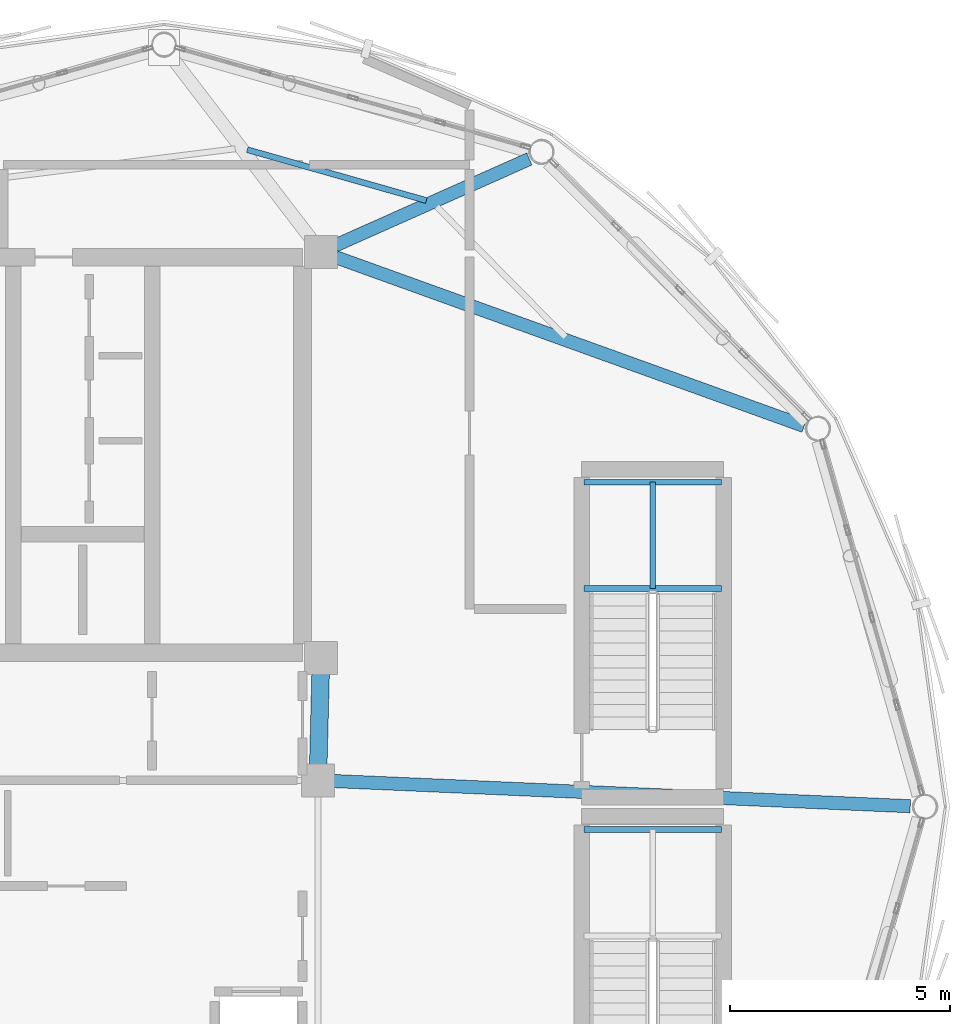
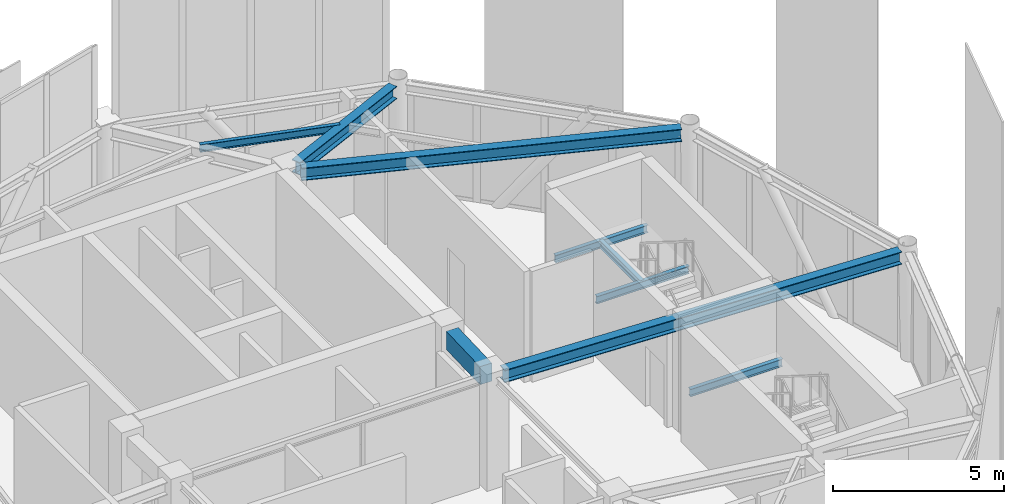
# One storey, part 10 of 20: 9 beams.
"""IFC4 building model written with IfcOpenShell, lengths in metres."""

from ifc_helpers import new_model, si_unit, direction, frame, origin, origin_2d, place, context, subcontext, project, spatial, rectangle, i_section, extrude, material, material_profile, profile_set, type_object, element, save


model = new_model("IFC4")

# Units and contexts
model_context = context("Model", 3, precision=1e-05, world=origin(), true_north=direction((0.0, 1.0)))
body_context = subcontext(model_context, "Body", "Model", "MODEL_VIEW")
ifc_project = project(units=[si_unit("LENGTHUNIT", "METRE"), si_unit("AREAUNIT", "SQUARE_METRE"), si_unit("VOLUMEUNIT", "CUBIC_METRE"), si_unit("PLANEANGLEUNIT", "RADIAN"), si_unit("MASSUNIT", "GRAM", prefix="KILO")], contexts=[model_context])

# Site, building, storey
site_placement = place(None, origin())
site = spatial("IfcSite", under=ifc_project, at=site_placement, CompositionType="ELEMENT")
building_placement = place(site_placement, origin())
building = spatial("IfcBuilding", under=site, at=building_placement, Name="Varnakorn Sky Granary", CompositionType="ELEMENT")
storey_placement = place(building_placement, frame((0.0, 0.0, 310.800048828125)))
storey = spatial("IfcBuildingStorey", under=building, at=storey_placement, Name="L79", CompositionType="ELEMENT", Elevation=310.800048828125)

# Beams
ifc_material_1 = material(Name="Concrete C50/60", Category="concrete")
ifc_material_profile_1 = material_profile(ifc_material_1, rectangle(XDim=0.39990234375, YDim=0.64990234375, at=origin_2d()), Name="RC 400x650")
ifc_profile_set_1 = profile_set([ifc_material_profile_1], Name="Concrete C50/60")
beam_type_1 = type_object("IfcBeamType", Name="BM-LIN-650", PredefinedType="LINTEL", material=ifc_profile_set_1)
beam_1_placement = place(storey_placement, frame((8.4111328125, 3.025146484375, 3.635009765625), z_axis=(-0.025227817192, -0.999681727971, 0.0), x_axis=(0.999681727971, -0.025227817192, 0.0)))
element("IfcBeam", 1, at=beam_1_placement, inside=storey, type_object=beam_type_1, Name="Core Spine Framing Beam 2 L79", PredefinedType="LINTEL", context=body_context, shape_type="SweptSolid", body=[
    extrude(rectangle(XDim=0.39990234375, YDim=0.64990234375, at=origin_2d()), origin(), (0.0, 0.0, 1.0), 2.071044921875),
])
ifc_material_2 = material(Name="Steel S355JR", Category="steel")
ifc_material_profile_2 = material_profile(ifc_material_2, i_section(OverallWidth=0.135009765625, OverallDepth=0.27001953125, WebThickness=0.006591796875, FlangeThickness=0.01025390625, at=origin_2d()), Name="IPE 270")
ifc_profile_set_2 = profile_set([ifc_material_profile_2], Name="Steel S355JR")
beam_type_2 = type_object("IfcBeamType", Name="BM-LND-270", PredefinedType="BEAM", material=ifc_profile_set_2)
for number, where, z_axis, x_axis, name in (
    (2, (14.39990234375, 4.9599609375, 1.764892578125), (1.0, 0.0, 0.0), (0.0, 1.0, 0.0), "Stair ST-C1 Landing Trimmer Beam A L79-1"),
    (3, (14.39990234375, 7.3798828125, 1.764892578125), (1.0, 0.0, 0.0), (0.0, 1.0, 0.0), "Stair ST-C1 Landing Trimmer Beam B L79-1"),
):
    element("IfcBeam", number, at=place(storey_placement, frame(where, z_axis=z_axis, x_axis=x_axis)), inside=storey, type_object=beam_type_2, Name=name, PredefinedType="BEAM", context=body_context, shape_type="SweptSolid", body=[
        extrude(i_section(OverallWidth=0.135009765625, OverallDepth=0.27001953125, WebThickness=0.006591796875, FlangeThickness=0.01025390625, at=origin_2d()), origin(), (0.0, 0.0, 1.0), 3.130126953125),
    ])
beam_2_placement = place(storey_placement, frame((15.965087890625, 4.9599609375, 1.764892578125), z_axis=(0.0, 1.0, 0.0), x_axis=(-1.0, 0.0, 0.0)))
element("IfcBeam", 4, at=beam_2_placement, inside=storey, type_object=beam_type_2, Name="Stair ST-C1 Landing Cross Beam C L79-1", PredefinedType="BEAM", context=body_context, shape_type="SweptSolid", body=[
    extrude(i_section(OverallWidth=0.135009765625, OverallDepth=0.27001953125, WebThickness=0.006591796875, FlangeThickness=0.01025390625, at=origin_2d()), origin(), (0.0, 0.0, 1.0), 2.419921875),
])
beam_3_placement = place(storey_placement, frame((14.39990234375, -0.52001953125, 1.764892578125), z_axis=(1.0, 0.0, 0.0), x_axis=(0.0, 1.0, 0.0)))
element("IfcBeam", 5, at=beam_3_placement, inside=storey, type_object=beam_type_2, Name="Stair ST-C2 Landing Trimmer Beam B L79-1", PredefinedType="BEAM", context=body_context, shape_type="SweptSolid", body=[
    extrude(i_section(OverallWidth=0.135009765625, OverallDepth=0.27001953125, WebThickness=0.006591796875, FlangeThickness=0.01025390625, at=origin_2d()), origin(), (0.0, 0.0, 1.0), 3.130126953125),
])
ifc_material_profile_3 = material_profile(ifc_material_2, i_section(OverallWidth=0.300048828125, OverallDepth=0.449951171875, WebThickness=0.013916015625, FlangeThickness=0.02587890625, at=origin_2d()), Name="HE 450 B")
ifc_profile_set_3 = profile_set([ifc_material_profile_3], Name="Steel S355JR")
beam_type_3 = type_object("IfcBeamType", Name="BM-RAD-Z5", PredefinedType="BEAM", material=ifc_profile_set_3)
beam_4_placement = place(storey_placement, frame((8.70458984375, 0.58447265625, 3.73486328125), z_axis=(0.999047261236, -0.043641377347, 0.0), x_axis=(0.043641377347, 0.999047261236, 0.0)))
element("IfcBeam", 6, at=beam_4_placement, inside=storey, type_object=beam_type_3, Name="Radial Floor Girder RG01 L79", PredefinedType="BEAM", context=body_context, shape_type="SweptSolid", body=[
    extrude(i_section(OverallWidth=0.300048828125, OverallDepth=0.449951171875, WebThickness=0.013916015625, FlangeThickness=0.02587890625, at=origin_2d()), origin(), (0.0, 0.0, 1.0), 13.129638671875),
])
beam_5_placement = place(storey_placement, frame((8.75390625, 12.49951171875, 3.73486328125), z_axis=(0.940741168683, -0.339125424503, 0.0), x_axis=(0.339125424503, 0.940741168683, 0.0)))
element("IfcBeam", 7, at=beam_5_placement, inside=storey, type_object=beam_type_3, Name="Radial Floor Girder RG02 L79", PredefinedType="BEAM", context=body_context, shape_type="SweptSolid", body=[
    extrude(i_section(OverallWidth=0.300048828125, OverallDepth=0.449951171875, WebThickness=0.013916015625, FlangeThickness=0.02587890625, at=origin_2d()), origin(), (0.0, 0.0, 1.0), 11.32861328125),
])
beam_6_placement = place(storey_placement, frame((8.744140625, 12.764404296875, 3.73486328125), z_axis=(0.913359002954, 0.407155169099, 0.0), x_axis=(-0.407155169099, 0.913359002954, 0.0)))
element("IfcBeam", 8, at=beam_6_placement, inside=storey, type_object=beam_type_3, Name="Radial Floor Girder RG03 L79", PredefinedType="BEAM", context=body_context, shape_type="SweptSolid", body=[
    extrude(i_section(OverallWidth=0.300048828125, OverallDepth=0.449951171875, WebThickness=0.013916015625, FlangeThickness=0.02587890625, at=origin_2d()), origin(), (0.0, 0.0, 1.0), 4.83349609375),
])
ifc_material_profile_4 = material_profile(ifc_material_2, i_section(OverallWidth=0.135009765625, OverallDepth=0.27001953125, WebThickness=0.006591796875, FlangeThickness=0.01025390625, at=origin_2d()), Name="IPE 270")
ifc_profile_set_4 = profile_set([ifc_material_profile_4], Name="Steel S355JR")
beam_type_4 = type_object("IfcBeamType", Name="BM-SEC-Z5", PredefinedType="BEAM", material=ifc_profile_set_4)
beam_7_placement = place(storey_placement, frame((10.81689453125, 13.78662109375, 3.824951171875), z_axis=(-0.962003167372, 0.273038286629, 0.0), x_axis=(-0.273038286629, -0.962003167372, 0.0)))
element("IfcBeam", 9, at=beam_7_placement, inside=storey, type_object=beam_type_4, Name="Secondary Floor Chord Beam MSB03 L79", PredefinedType="BEAM", context=body_context, shape_type="SweptSolid", body=[
    extrude(i_section(OverallWidth=0.135009765625, OverallDepth=0.27001953125, WebThickness=0.006591796875, FlangeThickness=0.01025390625, at=origin_2d()), origin(), (0.0, 0.0, 1.0), 4.235595703125),
])

save(model, "model.ifc")
